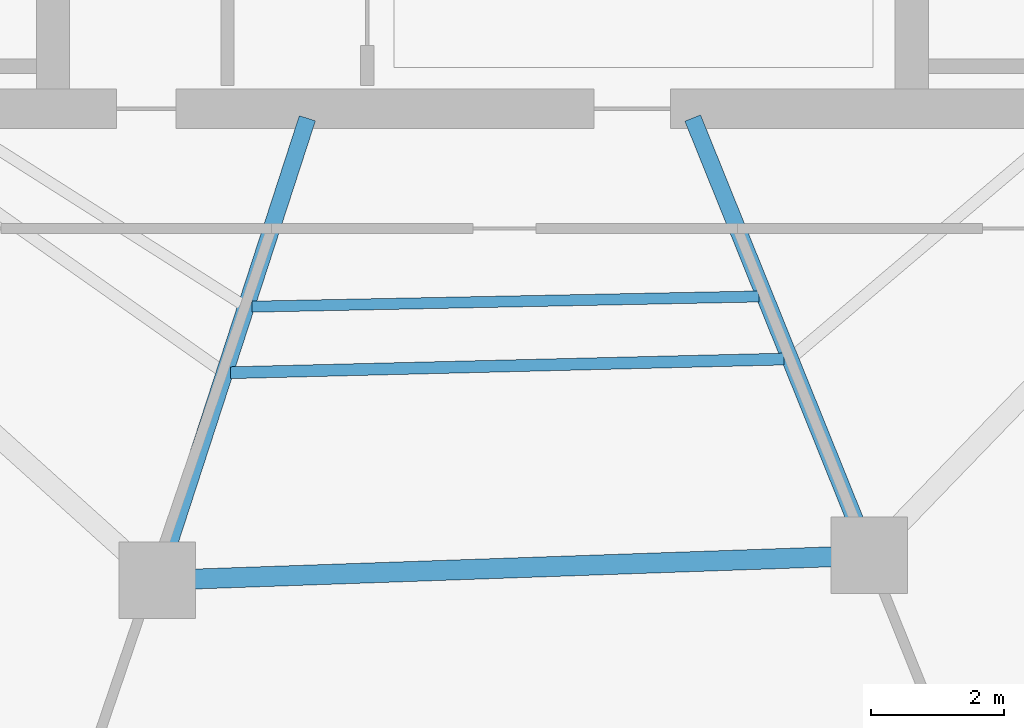
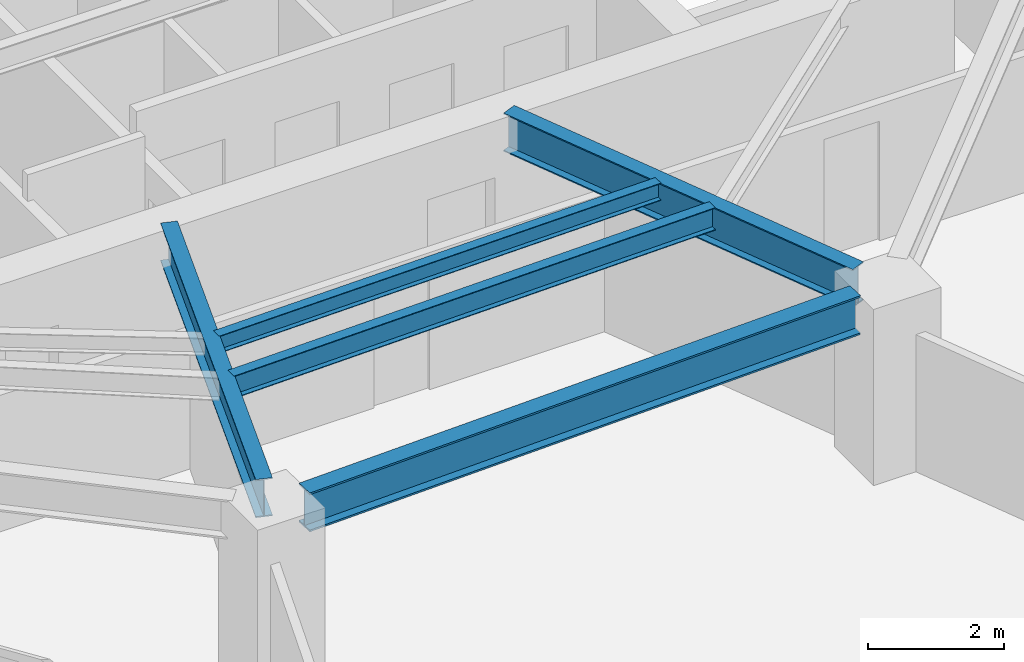
# One storey, part 5 of 30: 5 beams.
"""IFC4 building model written with IfcOpenShell, lengths in metres."""

from ifc_helpers import new_model, si_unit, direction, frame, origin, origin_2d, place, context, subcontext, project, spatial, i_section, extrude, material, material_profile, profile_set, type_object, element, save


model = new_model("IFC4")

# Units and contexts
model_context = context("Model", 3, precision=1e-05, world=origin(), true_north=direction((0.0, 1.0)))
body_context = subcontext(model_context, "Body", "Model", "MODEL_VIEW")
ifc_project = project(units=[si_unit("LENGTHUNIT", "METRE"), si_unit("AREAUNIT", "SQUARE_METRE"), si_unit("VOLUMEUNIT", "CUBIC_METRE"), si_unit("PLANEANGLEUNIT", "RADIAN"), si_unit("MASSUNIT", "GRAM", prefix="KILO")], contexts=[model_context])

# Site, building, storey
site_placement = place(None, origin())
site = spatial("IfcSite", under=ifc_project, at=site_placement, CompositionType="ELEMENT")
building_placement = place(site_placement, origin())
building = spatial("IfcBuilding", under=site, at=building_placement, Name="Qarnah Convention Tower", CompositionType="ELEMENT")
storey_placement = place(building_placement, frame((0.0, 0.0, 83.25)))
storey = spatial("IfcBuildingStorey", under=building, at=storey_placement, Name="L21", CompositionType="ELEMENT", Elevation=83.25)

# Beams
ifc_material = material(Name="Structural steel S355JR", Category="steel")
ifc_material_profile_1 = material_profile(ifc_material, i_section(OverallWidth=0.166015625, OverallDepth=0.31201171875, WebThickness=0.007080078125, FlangeThickness=0.010986328125, at=origin_2d()), Name="W310X45")
ifc_profile_set_1 = profile_set([ifc_material_profile_1], Name="Structural steel S355JR")
beam_type_1 = type_object("IfcBeamType", Name="BM-JST-W310", PredefinedType="JOIST", material=ifc_profile_set_1)
beam_1_placement = place(storey_placement, frame((33.7890625, 15.626953125, 3.013916015625), z_axis=(0.999797848543, 0.020106268877, 0.0), x_axis=(-0.020106268877, 0.999797848543, 0.0)))
element("IfcBeam", 1, at=beam_1_placement, inside=storey, type_object=beam_type_1, Name="L21 joist BM-L21-IJST-07", PredefinedType="JOIST", context=body_context, shape_type="SweptSolid", body=[
    extrude(i_section(OverallWidth=0.166015625, OverallDepth=0.31201171875, WebThickness=0.007080078125, FlangeThickness=0.010986328125, at=origin_2d()), origin(), (0.0, 0.0, 1.0), 7.61328125),
])
ifc_material_profile_2 = material_profile(ifc_material, i_section(OverallWidth=0.177978515625, OverallDepth=0.407958984375, WebThickness=0.008056640625, FlangeThickness=0.012939453125, at=origin_2d()), Name="W410X60")
ifc_profile_set_2 = profile_set([ifc_material_profile_2], Name="Structural steel S355JR")
beam_type_2 = type_object("IfcBeamType", Name="BM-JST-W410", PredefinedType="JOIST", material=ifc_profile_set_2)
beam_2_placement = place(storey_placement, frame((33.467041015625, 14.635009765625, 2.966064453125), z_axis=(0.999695844153, 0.02466210012, 0.0), x_axis=(-0.02466210012, 0.999695844153, 0.0)))
element("IfcBeam", 2, at=beam_2_placement, inside=storey, type_object=beam_type_2, Name="L21 joist BM-L21-SJST-07", PredefinedType="JOIST", context=body_context, shape_type="SweptSolid", body=[
    extrude(i_section(OverallWidth=0.177978515625, OverallDepth=0.407958984375, WebThickness=0.008056640625, FlangeThickness=0.012939453125, at=origin_2d()), origin(), (0.0, 0.0, 1.0), 8.3154296875),
])
ifc_material_profile_3 = material_profile(ifc_material, i_section(OverallWidth=0.25390625, OverallDepth=0.68798828125, WebThickness=0.012939453125, FlangeThickness=0.02099609375, at=origin_2d()), Name="W690X152")
ifc_profile_set_3 = profile_set([ifc_material_profile_3], Name="Structural steel S355JR")
beam_type_3 = type_object("IfcBeamType", Name="BM-RAD-W690", PredefinedType="BEAM", material=ifc_profile_set_3)
beam_3_placement = place(storey_placement, frame((34.6201171875, 18.45703125, 2.825927734375), z_axis=(-0.30908279771, -0.951035132979, 0.0), x_axis=(0.951035132979, -0.30908279771, 0.0)))
element("IfcBeam", 3, at=beam_3_placement, inside=storey, type_object=beam_type_3, Name="L21 beam BM-L21-RAD-07", PredefinedType="BEAM", context=body_context, shape_type="SweptSolid", body=[
    extrude(i_section(OverallWidth=0.25390625, OverallDepth=0.68798828125, WebThickness=0.012939453125, FlangeThickness=0.02099609375, at=origin_2d()), origin(), (0.0, 0.0, 1.0), 6.7431640625),
])
beam_4_placement = place(storey_placement, frame((40.407958984375, 18.4609375, 2.825927734375), z_axis=(0.374642886347, -0.927169190445, 0.0), x_axis=(0.927169190445, 0.374642886347, 0.0)))
element("IfcBeam", 4, at=beam_4_placement, inside=storey, type_object=beam_type_3, Name="L21 beam BM-L21-RAD-08", PredefinedType="BEAM", context=body_context, shape_type="SweptSolid", body=[
    extrude(i_section(OverallWidth=0.25390625, OverallDepth=0.68798828125, WebThickness=0.012939453125, FlangeThickness=0.02099609375, at=origin_2d()), origin(), (0.0, 0.0, 1.0), 6.531494140625),
])
ifc_material_profile_4 = material_profile(ifc_material, i_section(OverallWidth=0.300048828125, OverallDepth=0.699951171875, WebThickness=0.01708984375, FlangeThickness=0.031982421875, at=origin_2d()), Name="HEB700")
ifc_profile_set_4 = profile_set([ifc_material_profile_4], Name="Structural steel S355JR")
beam_type_4 = type_object("IfcBeamType", Name="BM-RING-HEB700", PredefinedType="BEAM", material=ifc_profile_set_4)
beam_5_placement = place(storey_placement, frame((32.928955078125, 11.535888671875, 2.820068359375), z_axis=(0.999390577592, 0.03490663862, 0.0), x_axis=(-0.03490663862, 0.999390577592, 0.0)))
element("IfcBeam", 5, at=beam_5_placement, inside=storey, type_object=beam_type_4, Name="L21 beam BM-L21-SPN-07", PredefinedType="BEAM", context=body_context, shape_type="SweptSolid", body=[
    extrude(i_section(OverallWidth=0.300048828125, OverallDepth=0.699951171875, WebThickness=0.01708984375, FlangeThickness=0.031982421875, at=origin_2d()), origin(), (0.0, 0.0, 1.0), 9.574951171875),
])

save(model, "model.ifc")
